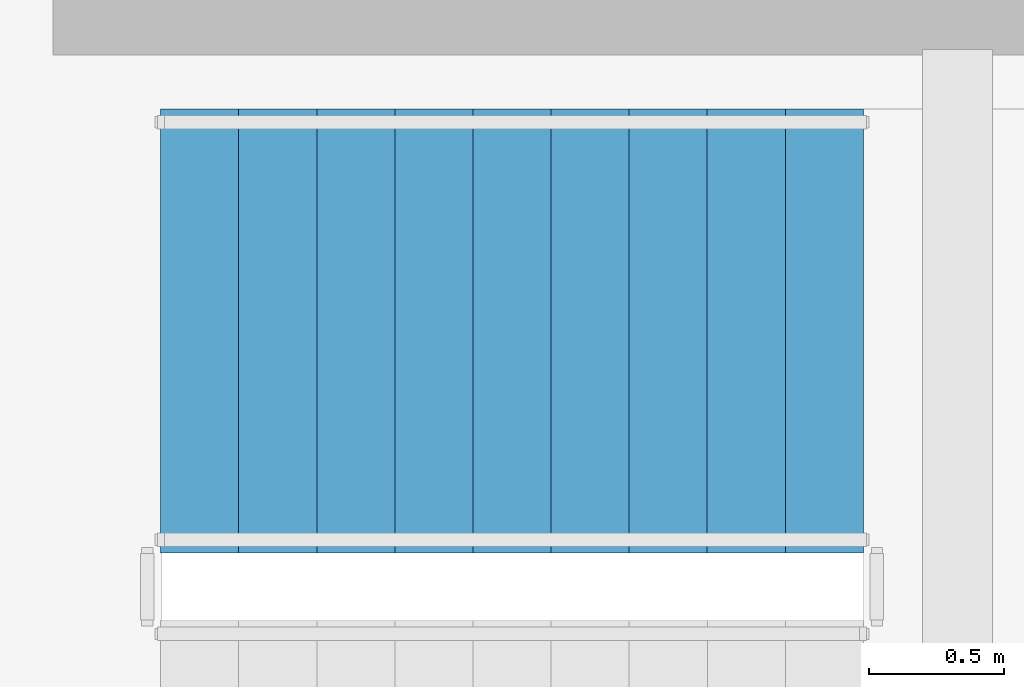
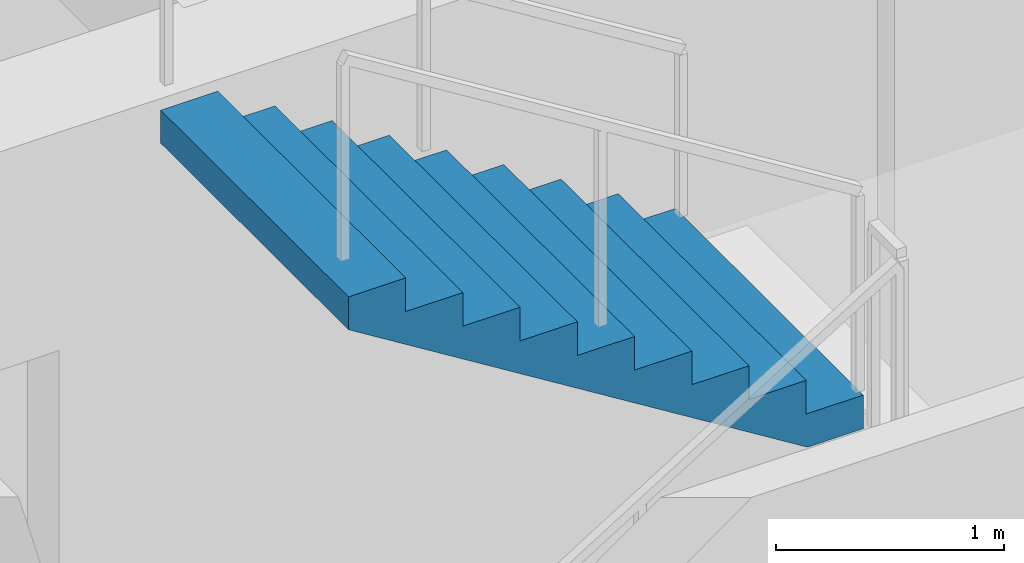
# One storey, part 12 of 14: 1 stair flight, 1 element without a shape of its own.
"""IFC4 building model written with IfcOpenShell, lengths in metres."""

from ifc_helpers import new_model, si_unit, derived_unit, direction, frame, origin, place, context, subcontext, project, spatial, polyline, outline, extrude, material, type_object, element, aggregate, save


model = new_model("IFC4")

# Units and contexts
model_context = context("Model", 3, precision=1e-05, world=origin(), true_north=direction((0.0, 1.0)))
body_context = subcontext(model_context, "Body", "Model", "MODEL_VIEW")
ifc_project = project(units=[si_unit("LENGTHUNIT", "METRE"), si_unit("AREAUNIT", "SQUARE_METRE"), si_unit("VOLUMEUNIT", "CUBIC_METRE"), si_unit("PLANEANGLEUNIT", "RADIAN"), si_unit("MASSUNIT", "GRAM", prefix="KILO"), derived_unit("THERMALTRANSMITTANCEUNIT", [(si_unit("POWERUNIT", "WATT"), 1), (si_unit("LENGTHUNIT", "METRE"), -2), (si_unit("THERMODYNAMICTEMPERATUREUNIT", "KELVIN"), -1)])], contexts=[model_context])

# Site, building, storey
site_placement = place(None, origin())
site = spatial("IfcSite", under=ifc_project, at=site_placement, CompositionType="ELEMENT")
building_placement = place(site_placement, origin())
building = spatial("IfcBuilding", under=site, at=building_placement, Name="Koralith Skygarden Medical Center", CompositionType="ELEMENT")
storey_placement = place(building_placement, frame((0.0, 0.0, 210.780029296875)))
storey = spatial("IfcBuildingStorey", under=building, at=storey_placement, Name="L54", CompositionType="ELEMENT", Elevation=210.780029296875)

# Stair, stair flight
ifc_material = material(Name="Concrete C45/55", Category="concrete")
stair_type = type_object("IfcStairType", Name="Core Exit Dogleg Concrete Stair", PredefinedType="HALF_TURN_STAIR", material=ifc_material)
stair_placement = place(storey_placement, origin())
stair = element("IfcStair", 1, at=stair_placement, inside=storey, type_object=stair_type, Name="L54 Smokeproof Exit Stair ST3", PredefinedType="HALF_TURN_STAIR")
stair_flight_type = type_object("IfcStairFlightType", Name="Core Exit Concrete Stair Flight 1650", PredefinedType="STRAIGHT", material=ifc_material)
stair_flight_placement = place(storey_placement, frame((35.409912109375, 33.175048828125, 1.800048828125), z_axis=(0.0, 0.0, 1.0), x_axis=(-1.0, 0.0, 0.0)))
stair_flight = element("IfcStairFlight", 2, at=stair_flight_placement, type_object=stair_flight_type, Name="ST3 flight 2", NumberOfRisers=10, NumberOfTreads=9, PredefinedType="STRAIGHT", RiserHeight=0.18, TreadLength=0.29, context=body_context, shape_type="SweptSolid", body=[
    extrude(outline(polyline([(0.0, 0.0), (0.0, 0.179931640625), (0.2900390625, 0.179931640625), (0.2900390625, 0.360107421875), (0.580078125, 0.360107421875), (0.580078125, 0.5400390625), (0.8701171875, 0.5400390625), (0.8701171875, 0.719970703125), (1.159912109375, 0.719970703125), (1.159912109375, 0.89990234375), (1.449951171875, 0.89990234375), (1.449951171875, 1.080078125), (1.739990234375, 1.080078125), (1.739990234375, 1.260009765625), (2.030029296875, 1.260009765625), (2.030029296875, 1.43994140625), (2.320068359375, 1.43994140625), (2.320068359375, 1.6201171875), (2.610107421875, 1.6201171875), (2.610107421875, 1.800048828125), (2.610107421875, 1.443603515625), (0.2841796875, 0.0), (0.0, 0.0)])), frame((0.0, 0.824951171875, 0.0), z_axis=(0.0, -1.0, 0.0), x_axis=(1.0, 0.0, 0.0)), (0.0, 0.0, 1.0), 1.64990234375),
])
aggregate(stair, [stair_flight])

save(model, "model.ifc")
